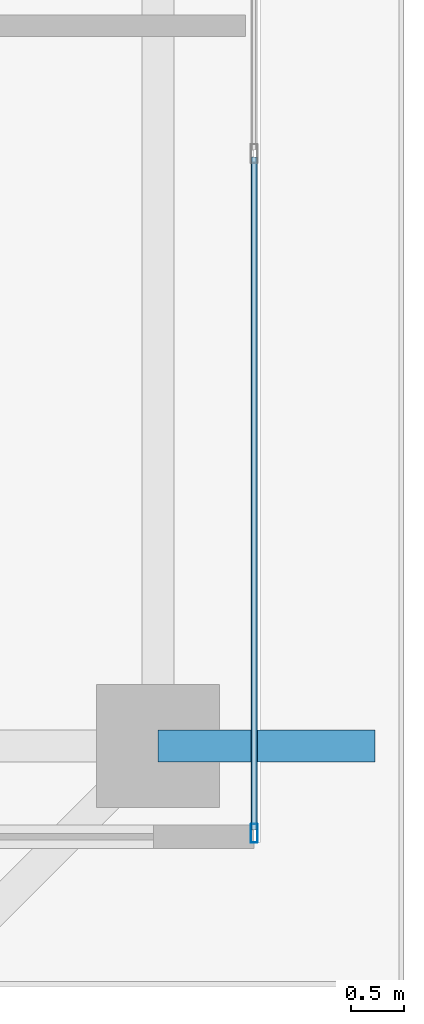
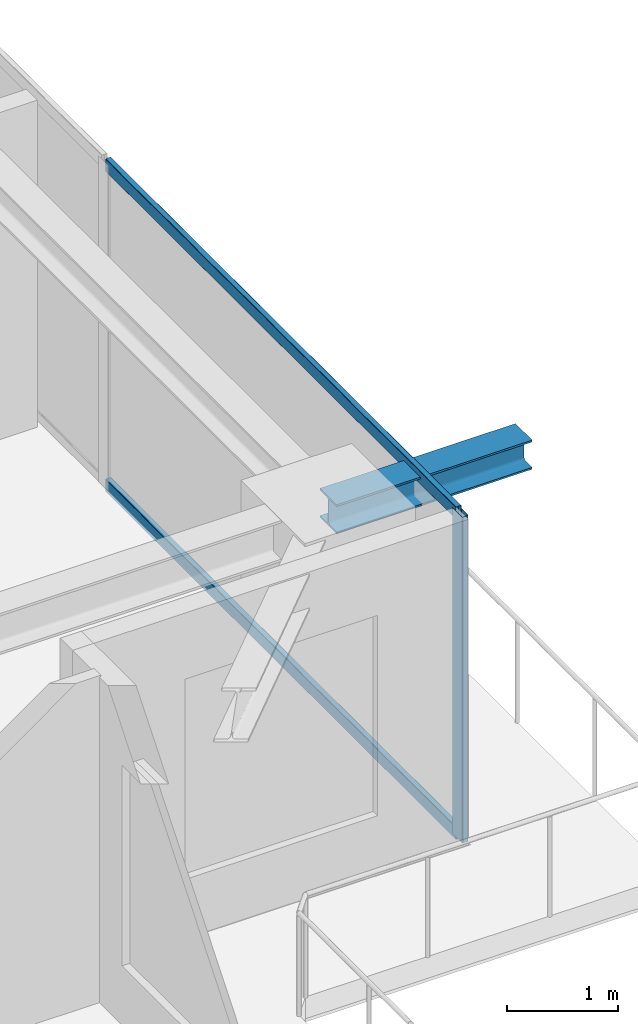
# One storey, part 13 of 37: 3 members, 1 beam, 1 element without a shape of its own.
"""IFC4 building model written with IfcOpenShell, lengths in metres."""

import ifcopenshell
import ifcopenshell.guid

model = None  # the IFC model being written
_history = None  # IfcOwnerHistory: only IFC2X3 demands one
_inside = {}  # id of a spatial element -> (the spatial element, [elements in it])
_under = {}  # id of a project, library or spatial element -> (it, [spatial elements below it])
_declared = {}  # id of a project -> (the project, [libraries it declares])
_typed = {}  # id of a type object -> (the type object, [elements of that type])
_made_of = {}  # id of a material, layer set ... -> (it, [elements and type objects made of it])


def new_model(schema):
    """Start an empty IFC model of exactly this schema.

    Asked for "IFC4X3", IfcOpenShell would pick the latest addendum, in which some entities
    have other attributes; the version numbers below select the first issue.
    IFC2X3 requires an IfcOwnerHistory on every rooted entity: one is made here for all.
    """
    global model, _history
    if schema == "IFC4X3":
        model = ifcopenshell.file(schema_version=(4, 3, 0, 0))
    else:
        model = ifcopenshell.file(schema=schema)
    _inside.clear()
    _under.clear()
    _declared.clear()
    _typed.clear()
    _made_of.clear()
    _history = None
    if model.schema == "IFC2X3":
        org = make("IfcOrganization", Name="unknown")
        user = make(
            "IfcPersonAndOrganization",
            ThePerson=make("IfcPerson", FamilyName="unknown"),
            TheOrganization=org,
        )
        app = make(
            "IfcApplication",
            ApplicationDeveloper=org,
            Version="unknown",
            ApplicationFullName="unknown",
            ApplicationIdentifier="unknown",
        )
        _history = make(
            "IfcOwnerHistory",
            OwningUser=user,
            OwningApplication=app,
            ChangeAction="ADDED",
            CreationDate=0,
        )
    return model


def make(cls, **values):
    """One entity of the class cls with the attributes given. An attribute that is None is left unset."""
    return model.create_entity(
        cls, **{name: value for name, value in values.items() if value is not None}
    )


def rooted(cls, **values):
    """An entity with a GlobalId (a new one), such as an element, a storey or a relation."""
    return make(cls, GlobalId=ifcopenshell.guid.new(), OwnerHistory=_history, **values)


def si_unit(unit_type, name, prefix=None):
    """IfcSIUnit, for example si_unit("LENGTHUNIT", "METRE", prefix="MILLI")."""
    return make("IfcSIUnit", UnitType=unit_type, Prefix=prefix, Name=name)


def assignment(units):
    """IfcUnitAssignment: the units of a project."""
    return None if units is None else make("IfcUnitAssignment", Units=units)


def point(xyz):
    """IfcCartesianPoint."""
    return None if xyz is None else make("IfcCartesianPoint", Coordinates=xyz)


def direction(xyz):
    """IfcDirection."""
    return None if xyz is None else make("IfcDirection", DirectionRatios=xyz)


def frame(location, z_axis=None, x_axis=None):
    """IfcAxis2Placement3D, a coordinate frame: its origin and axes. An axis left out is left unset."""
    return make(
        "IfcAxis2Placement3D",
        Location=point(location),
        Axis=direction(z_axis),
        RefDirection=direction(x_axis),
    )


def frame_2d(location, x_axis=None):
    """IfcAxis2Placement2D, a coordinate frame in the plane: its origin and x axis."""
    return make(
        "IfcAxis2Placement2D", Location=point(location), RefDirection=direction(x_axis)
    )


def origin():
    """The frame at (0, 0, 0) with its axes left unset."""
    return frame((0.0, 0.0, 0.0))


def origin_2d():
    """The frame at (0, 0) in the plane with its x axis left unset."""
    return frame_2d((0.0, 0.0))


def place(relative_to, where):
    """IfcLocalPlacement: puts the frame where relative to a parent placement (None: the world)."""
    return make(
        "IfcLocalPlacement", PlacementRelTo=relative_to, RelativePlacement=where
    )


def context(
    kind, dimensions, precision=None, world=None, true_north=None, identifier=None
):
    """IfcGeometricRepresentationContext, for example the 3D "Model" context."""
    return make(
        "IfcGeometricRepresentationContext",
        ContextIdentifier=identifier,
        ContextType=kind,
        CoordinateSpaceDimension=dimensions,
        Precision=precision,
        WorldCoordinateSystem=world,
        TrueNorth=true_north,
    )


def subcontext(parent, identifier, kind, view, scale=None):
    """IfcGeometricRepresentationSubContext, for example "Body" below "Model"."""
    return make(
        "IfcGeometricRepresentationSubContext",
        ContextIdentifier=identifier,
        ContextType=kind,
        ParentContext=parent,
        TargetScale=scale,
        TargetView=view,
    )


def project(units=None, contexts=None):
    """IfcProject with its units and contexts."""
    return rooted(
        "IfcProject",
        Name="project",
        RepresentationContexts=contexts,
        UnitsInContext=assignment(units),
    )


def spatial(cls, under=None, at=None, **own):
    """A site, building, storey or space (cls), placed at a placement, below another one or the project."""
    s = rooted(cls, ObjectPlacement=at, **own)
    if under is not None:
        _under.setdefault(under.id(), (under, []))[1].append(s)
    return s


def profile(cls, at=None, kind="AREA", **sizes):
    """A parametric profile (cls). Its sizes go by their IFC names, for example OverallWidth=200.0."""
    return make(cls, ProfileType=kind, Position=at, **sizes)


def hollow_rectangle(**sizes):
    """IfcRectangleHollowProfileDef."""
    return profile("IfcRectangleHollowProfileDef", **sizes)


def i_section(**sizes):
    """IfcIShapeProfileDef."""
    return profile("IfcIShapeProfileDef", **sizes)


def extrude(swept, where, along, depth):
    """IfcExtrudedAreaSolid: the profile swept, set in the frame where, extruded along a direction by depth."""
    return make(
        "IfcExtrudedAreaSolid",
        SweptArea=swept,
        Position=where,
        ExtrudedDirection=direction(along),
        Depth=depth,
    )


def shape(context_of_items, identifier, shape_type, items):
    """IfcShapeRepresentation: the items that make up one representation, for example the "Body"."""
    return make(
        "IfcShapeRepresentation",
        ContextOfItems=context_of_items,
        RepresentationIdentifier=identifier,
        RepresentationType=shape_type,
        Items=items,
    )


def source(mapping_origin, context_of_items, identifier, shape_type, items):
    """IfcRepresentationMap: a shape defined once, which mapped items show again and again."""
    return make(
        "IfcRepresentationMap",
        MappingOrigin=mapping_origin,
        MappedRepresentation=shape(context_of_items, identifier, shape_type, items),
    )


def transform(
    local_origin,
    x_axis=None,
    y_axis=None,
    z_axis=None,
    scale=None,
    scale2=None,
    scale3=None,
    uniform=True,
):
    """IfcCartesianTransformationOperator3D, or its non-uniform kind. x_axis, y_axis, z_axis: its Axis1, 2, 3."""
    if uniform:
        return make(
            "IfcCartesianTransformationOperator3D",
            Axis1=direction(x_axis),
            Axis2=direction(y_axis),
            LocalOrigin=point(local_origin),
            Scale=scale,
            Axis3=direction(z_axis),
        )
    return make(
        "IfcCartesianTransformationOperator3DnonUniform",
        Axis1=direction(x_axis),
        Axis2=direction(y_axis),
        LocalOrigin=point(local_origin),
        Scale=scale,
        Axis3=direction(z_axis),
        Scale2=scale2,
        Scale3=scale3,
    )


def mapped(mapping_source, mapping_target):
    """IfcMappedItem: shows the shape of a source again, moved by a transform."""
    return make(
        "IfcMappedItem", MappingSource=mapping_source, MappingTarget=mapping_target
    )


def material(Name=None, Category=None):
    """IfcMaterial."""
    return make("IfcMaterial", Name=Name, Category=Category)


def layer(
    of_material, thickness, ventilated=None, Name=None, Category=None, Priority=None
):
    """IfcMaterialLayer: one layer of a wall or slab, of a material (None: an air gap)."""
    return make(
        "IfcMaterialLayer",
        Material=of_material,
        LayerThickness=thickness,
        IsVentilated=ventilated,
        Name=Name,
        Category=Category,
        Priority=Priority,
    )


def layer_set(layers, Name=None):
    """IfcMaterialLayerSet."""
    return make("IfcMaterialLayerSet", MaterialLayers=layers, LayerSetName=Name)


def material_profile(
    of_material, cross_section, Name=None, Category=None, Priority=None
):
    """IfcMaterialProfile: a cross section and its material."""
    return make(
        "IfcMaterialProfile",
        Name=Name,
        Material=of_material,
        Profile=cross_section,
        Priority=Priority,
        Category=Category,
    )


def profile_set(profiles, Name=None, composite=None):
    """IfcMaterialProfileSet."""
    return make(
        "IfcMaterialProfileSet",
        Name=Name,
        MaterialProfiles=profiles,
        CompositeProfile=composite,
    )


def made_of(thing, what):
    """Note that an element or type object is made of a material, layer set ...; save() writes the relation."""
    if what is not None:
        _made_of.setdefault(what.id(), (what, []))[1].append(thing)
    return thing


def type_object(cls, material=None, **own):
    """A type object (cls), such as IfcWallType, which elements share."""
    return made_of(rooted(cls, **own), material)


def element(
    cls,
    number,
    at=None,
    inside=None,
    cuts=None,
    type_object=None,
    material=None,
    context=None,
    identifier="Body",
    shape_type=None,
    held_by="IfcProductDefinitionShape",
    body=None,
    shapes=None,
    **own,
):
    """One element of the class cls, such as IfcWall. Its Tag is "e" and its number.

    at: its placement. inside: the storey or other place that contains it. cuts: it is an
    opening in that element (IfcRelVoidsElement). A single representation is given by context,
    identifier, shape_type and body (its items); several are given by shapes. held_by: the class
    of the entity that holds the representations. save() writes the other relations.
    """
    e = rooted(cls, Tag="e%d" % number, ObjectPlacement=at, **own)
    if body is not None:
        shapes = [shape(context, identifier, shape_type, body)]
    if shapes is not None:
        e.Representation = make(held_by, Representations=shapes)
    if inside is not None:
        _inside.setdefault(inside.id(), (inside, []))[1].append(e)
    if cuts is not None:
        rooted(
            "IfcRelVoidsElement", RelatingBuildingElement=cuts, RelatedOpeningElement=e
        )
    if type_object is not None:
        _typed.setdefault(type_object.id(), (type_object, []))[1].append(e)
    return made_of(e, material)


def aggregate(whole, parts):
    """IfcRelAggregates: a whole, such as a stair, and the parts it consists of."""
    return rooted("IfcRelAggregates", RelatingObject=whole, RelatedObjects=parts)


def save(model, path):
    """Write the relations noted so far, then the file.

    IfcRelAggregates (storeys below a building ...), IfcRelContainedInSpatialStructure (elements
    in a storey), IfcRelDefinesByType, IfcRelAssociatesMaterial and IfcRelDeclares: one each for
    every whole, place, type object, material and project.
    """
    for whole, parts in _under.values():
        aggregate(whole, parts)
    for where, things in _inside.values():
        rooted(
            "IfcRelContainedInSpatialStructure",
            RelatedElements=things,
            RelatingStructure=where,
        )
    for kind, things in _typed.values():
        rooted("IfcRelDefinesByType", RelatedObjects=things, RelatingType=kind)
    for what, things in _made_of.values():
        rooted("IfcRelAssociatesMaterial", RelatedObjects=things, RelatingMaterial=what)
    for by, libraries in _declared.values():
        rooted("IfcRelDeclares", RelatingContext=by, RelatedDefinitions=libraries)
    model.write(path)


model = new_model("IFC4")

# Units and contexts
model_context = context("Model", 3, precision=1e-05, world=origin(), true_north=direction((0.0, 1.0)))
body_context = subcontext(model_context, "Body", "Model", "MODEL_VIEW")
ifc_project = project(units=[si_unit("LENGTHUNIT", "METRE"), si_unit("AREAUNIT", "SQUARE_METRE"), si_unit("VOLUMEUNIT", "CUBIC_METRE"), si_unit("PLANEANGLEUNIT", "RADIAN"), si_unit("MASSUNIT", "GRAM", prefix="KILO")], contexts=[model_context])

# Site, building, storey
site_placement = place(None, origin())
site = spatial("IfcSite", under=ifc_project, at=site_placement, CompositionType="ELEMENT")
building_placement = place(site_placement, origin())
building = spatial("IfcBuilding", under=site, at=building_placement, Name="Serunith Strait Residences", CompositionType="ELEMENT")
storey_placement = place(building_placement, frame((0.0, 0.0, 218.14990234375)))
storey = spatial("IfcBuildingStorey", under=building, at=storey_placement, Name="L54", CompositionType="ELEMENT", Elevation=218.14990234375)

# Beam
ifc_material_1 = material(Name="Steel S355J2", Category="steel")
ifc_material_profile_1 = material_profile(ifc_material_1, i_section(OverallWidth=0.300048828125, OverallDepth=0.320068359375, WebThickness=0.011474609375, FlangeThickness=0.0205078125, FilletRadius=0.027099609375, at=origin_2d()), Name="HEB 320")
ifc_profile_set_1 = profile_set([ifc_material_profile_1], Name="Steel S355J2")
beam_type = type_object("IfcBeamType", Name="BM-HEB320", PredefinedType="BEAM", material=ifc_profile_set_1)
shared_shape_1 = source(origin(), body_context, "Body", "SweptSolid", [
    extrude(i_section(OverallWidth=0.300048828125, OverallDepth=0.320068359375, WebThickness=0.011474609375, FlangeThickness=0.0205078125, FilletRadius=0.027099609375, at=origin_2d()), origin(), (0.0, 0.0, 1.0), 2.030029296875),
])
beam_placement = place(storey_placement, frame((56.5, 10.050048828125, 3.397216796875), z_axis=(1.0, 0.0, 0.0), x_axis=(0.0, 1.0, 0.0)))
element("IfcBeam", 1, at=beam_placement, inside=storey, type_object=beam_type, Name="L55 Cantilevered Balcony Rib TC-E1", PredefinedType="BEAM", context=body_context, shape_type="MappedRepresentation", body=[
    mapped(shared_shape_1, transform((0.0, 0.0, 0.0), scale=1.0)),
])

# Curtain wall, members
ifc_material_2 = material(Name="Pale-Champagne Anodised Aluminium", Category="aluminium")
ifc_layer = layer(ifc_material_2, 0.199951171875, Name="Pale-Champagne Anodised Aluminium")
ifc_layer_set = layer_set([ifc_layer], Name="Pale-Champagne Anodised Aluminium")
curtain_wall_type = type_object("IfcCurtainWallType", Name="CW-SYS4", PredefinedType="NOTDEFINED", material=ifc_layer_set)
curtain_wall_placement = place(storey_placement, origin())
curtain_wall = element("IfcCurtainWall", 2, at=curtain_wall_placement, inside=storey, type_object=curtain_wall_type, Name="L54 E Unitised Fritted Curtain Wall", PredefinedType="NOTDEFINED")
ifc_material_profile_2 = material_profile(ifc_material_2, hollow_rectangle(XDim=0.06005859375, YDim=0.139892578125, WallThickness=0.00341796875, InnerFilletRadius=0.00537109375, OuterFilletRadius=0.0087890625, at=origin_2d()), Name="ALU 140x60x3.5")
ifc_profile_set_2 = profile_set([ifc_material_profile_2], Name="Pale-Champagne Anodised Aluminium")
member_type_1 = type_object("IfcMemberType", Name="CW-SYS4-TRAN", PredefinedType="USERDEFINED", material=ifc_profile_set_2)
shared_shape_2 = source(origin(), body_context, "Body", "SweptSolid", [
    extrude(hollow_rectangle(XDim=0.06005859375, YDim=0.139892578125, WallThickness=0.00341796875, InnerFilletRadius=0.00537109375, OuterFilletRadius=0.0087890625, at=origin_2d()), origin(), (0.0, 0.0, 1.0), 6.302490234375),
])
member_1_placement = place(storey_placement, frame((57.39990234375, 9.264892578125, 0.030029296875), z_axis=(0.0, 1.0, 0.0), x_axis=(-1.0, 0.0, 0.0)))
member_1 = element("IfcMember", 3, at=member_1_placement, type_object=member_type_1, Name="CW-4 transom 1.1", ObjectType="TRANSOM", PredefinedType="USERDEFINED", context=body_context, shape_type="MappedRepresentation", body=[
    mapped(shared_shape_2, transform((0.0, 0.0, 0.0), scale=1.0)),
])
member_2_placement = place(storey_placement, frame((57.39990234375, 9.264892578125, 3.545166015625), z_axis=(0.0, 1.0, 0.0), x_axis=(-1.0, 0.0, 0.0)))
member_2 = element("IfcMember", 4, at=member_2_placement, type_object=member_type_1, Name="CW-4 transom 1.2", ObjectType="TRANSOM", PredefinedType="USERDEFINED", context=body_context, shape_type="MappedRepresentation", body=[
    mapped(shared_shape_2, transform((0.0, 0.0, 0.0), scale=1.0)),
])
ifc_material_profile_3 = material_profile(ifc_material_2, hollow_rectangle(XDim=0.06494140625, YDim=0.179931640625, WallThickness=0.00341796875, InnerFilletRadius=0.00537109375, OuterFilletRadius=0.0087890625, at=origin_2d()), Name="ALU 180x65x3.5")
ifc_profile_set_3 = profile_set([ifc_material_profile_3], Name="Pale-Champagne Anodised Aluminium")
member_type_2 = type_object("IfcMemberType", Name="CW-SYS4-MULL", PredefinedType="MULLION", material=ifc_profile_set_3)
shared_shape_3 = source(origin(), body_context, "Body", "SweptSolid", [
    extrude(hollow_rectangle(XDim=0.06494140625, YDim=0.179931640625, WallThickness=0.00341796875, InnerFilletRadius=0.00537109375, OuterFilletRadius=0.0087890625, at=origin_2d()), origin(), (0.0, 0.0, 1.0), 3.5751953125),
])
member_3_placement = place(storey_placement, frame((57.39990234375, 9.232421875, 0.0), z_axis=(0.0, 0.0, 1.0), x_axis=(-1.0, 0.0, 0.0)))
member_3 = element("IfcMember", 5, at=member_3_placement, type_object=member_type_2, Name="CW-4 mullion 1", PredefinedType="MULLION", context=body_context, shape_type="MappedRepresentation", body=[
    mapped(shared_shape_3, transform((0.0, 0.0, 0.0), scale=1.0)),
])
aggregate(curtain_wall, [member_3, member_1, member_2])

save(model, "model.ifc")
